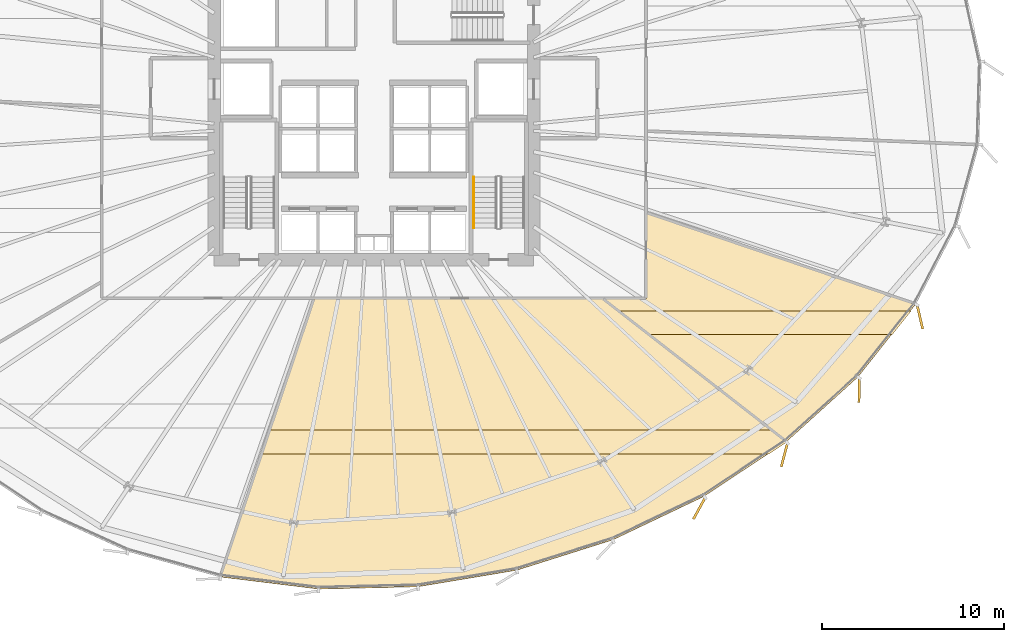
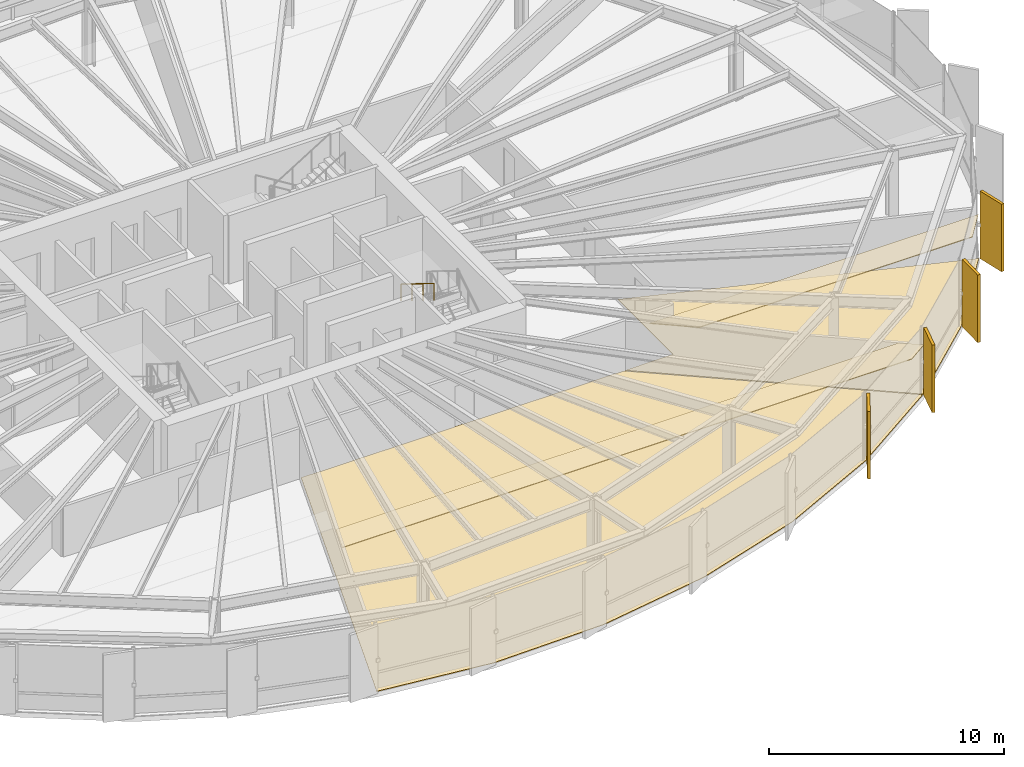
# One storey, part 36 of 38: 8 coverings, 1 railing.
"""IFC4 building model written with IfcOpenShell, lengths in metres."""

from ifc_helpers import new_model, si_unit, direction, frame, origin, origin_2d, place, context, subcontext, project, spatial, polyline, rectangle, circle, outline, extrude, source, transform, mapped, material, layer, layer_set, type_object, element, save


model = new_model("IFC4")

# Units and contexts
model_context = context("Model", 3, precision=1e-05, world=origin(), true_north=direction((0.0, 1.0)))
body_context = subcontext(model_context, "Body", "Model", "MODEL_VIEW")
ifc_project = project(units=[si_unit("LENGTHUNIT", "METRE"), si_unit("AREAUNIT", "SQUARE_METRE"), si_unit("VOLUMEUNIT", "CUBIC_METRE"), si_unit("PLANEANGLEUNIT", "RADIAN"), si_unit("MASSUNIT", "GRAM", prefix="KILO"), si_unit("THERMODYNAMICTEMPERATUREUNIT", "KELVIN")], contexts=[model_context])

# Site, building, storey
site_placement = place(None, origin())
site = spatial("IfcSite", under=ifc_project, at=site_placement, CompositionType="ELEMENT")
building_placement = place(site_placement, origin())
building = spatial("IfcBuilding", under=site, at=building_placement, Name="Kethvar Cultural Tower", CompositionType="ELEMENT")
storey_placement = place(building_placement, frame((0.0, 0.0, 52.39990234375)))
storey = spatial("IfcBuildingStorey", under=building, at=storey_placement, Name="L12", CompositionType="ELEMENT", Elevation=52.39990234375)

# Coverings
ifc_material_1 = material(Name="Acoustic Mineral Fibre Ceiling")
ifc_layer_1 = layer(ifc_material_1, 0.0400390625, Name="Acoustic Mineral Fibre Ceiling")
ifc_layer_set_1 = layer_set([ifc_layer_1], Name="Acoustic Mineral Fibre Ceiling (40 mm)")
covering_type_1 = type_object("IfcCoveringType", Name="CV-ACOUSTIC-CEIL", PredefinedType="CEILING", material=ifc_layer_set_1)
covering_1_placement = place(storey_placement, frame((0.0, 0.0, 2.56005859375)))
element("IfcCovering", 1, at=covering_1_placement, inside=storey, type_object=covering_type_1, Name="L12 Room 02 Acoustic Ceiling Panel", PredefinedType="CEILING", context=body_context, shape_type="SweptSolid", body=[
    extrude(outline(polyline([(41.05029296875, 10.7197265625), (68.720703125, 10.7197265625), (69.552978515625, 10.060546875), (68.58837890625, 9.40966796875), (40.611083984375, 9.40966796875), (41.05029296875, 10.7197265625)])), origin(), (0.0, 0.0, 1.0), 0.0400390625),
])
covering_2_placement = place(storey_placement, frame((0.0, 0.0, 2.56005859375)))
element("IfcCovering", 2, at=covering_2_placement, inside=storey, type_object=covering_type_1, Name="L12 Room 03 Acoustic Ceiling Panel", PredefinedType="CEILING", context=body_context, shape_type="SweptSolid", body=[
    extrude(outline(polyline([(60.2490234375, 17.27978515625), (76.398681640625, 17.27978515625), (75.3603515625, 15.9697265625), (61.927734375, 15.9697265625), (60.2490234375, 17.27978515625)])), origin(), (0.0, 0.0, 1.0), 0.0400390625),
])
ifc_material_2 = material(Name="Architectural Oak Timber", Category="wood")
ifc_layer_2 = layer(ifc_material_2, 0.02490234375, Name="Architectural Oak Timber", Category="wood")
ifc_layer_set_2 = layer_set([ifc_layer_2], Name="Architectural Oak Timber (25 mm)")
covering_type_2 = type_object("IfcCoveringType", Name="CV-OAK-FLOOR", PredefinedType="FLOORING", material=ifc_layer_set_2)
covering_3_placement = place(storey_placement, origin())
element("IfcCovering", 3, at=covering_3_placement, inside=storey, type_object=covering_type_2, Name="L12 Room 02 Floor Finish", PredefinedType="FLOORING", context=body_context, shape_type="SweptSolid", body=[
    extrude(outline(polyline([(64.961181640625, 7.05078125), (59.95751953125, 4.666259765625), (54.66796875, 2.99560546875), (49.230712890625, 2.08740234375), (43.74560546875, 1.962890625), (38.376708984375, 2.621337890625), (43.52099609375, 17.9599609375), (59.377197265625, 17.9599609375), (69.498779296875, 10.061767578125), (64.961181640625, 7.05078125)])), origin(), (0.0, 0.0, 1.0), 0.025146484375),
])
covering_4_placement = place(storey_placement, origin())
element("IfcCovering", 4, at=covering_4_placement, inside=storey, type_object=covering_type_2, Name="L12 Room 03 Floor Finish", PredefinedType="FLOORING", context=body_context, shape_type="SweptSolid", body=[
    extrude(outline(polyline([(73.46875, 13.647705078125), (69.531982421875, 10.08642578125), (59.4423828125, 17.9599609375), (61.8076171875, 17.970703125), (61.81005859375, 22.67236328125), (76.626708984375, 17.631591796875), (73.46875, 13.647705078125)])), origin(), (0.0, 0.0, 1.0), 0.025146484375),
])

# Railing
ifc_material_3 = material(Name="Steel S355J2", Category="steel")
railing_type = type_object("IfcRailingType", Name="RL-STAIR-HANDRAIL", PredefinedType="HANDRAIL", material=ifc_material_3)
railing_placement = place(storey_placement, frame((52.300048828125, 24.64990234375, 2.07275390625)))
element("IfcRailing", 5, at=railing_placement, inside=storey, type_object=railing_type, Name="L12 ST-02 stair handrail 2", PredefinedType="HANDRAIL", context=body_context, shape_type="SweptSolid", body=[
    extrude(circle(Radius=0.02392578125, at=origin_2d()), frame((0.0, 0.0, 0.8759765625), z_axis=(0.0, -0.851069175582, 0.525053576669), x_axis=(1.0, 0.0, 0.0)), (0.0, 0.0, 1.0), 3.289794921875),
    extrude(circle(Radius=0.02099609375, at=origin_2d()), origin(), (0.0, 0.0, 1.0), 0.851806640625),
    extrude(circle(Radius=0.02099609375, at=origin_2d()), frame((0.0, -0.933349609375, 0.57568359375)), (0.0, 0.0, 1.0), 0.851806640625),
    extrude(circle(Radius=0.02099609375, at=origin_2d()), frame((0.0, -1.866455078125, 1.151611328125)), (0.0, 0.0, 1.0), 0.851806640625),
    extrude(circle(Radius=0.02099609375, at=origin_2d()), frame((0.0, -2.7998046875, 1.727294921875)), (0.0, 0.0, 1.0), 0.851806640625),
])

# Coverings
ifc_material_4 = material(Name="Extruded Architectural Terracotta", Category="masonry")
ifc_layer_3 = layer(ifc_material_4, 0.135009765625, Name="Extruded Architectural Terracotta", Category="masonry")
ifc_layer_set_3 = layer_set([ifc_layer_3], Name="Extruded Architectural Terracotta (135 mm)")
covering_type_3 = type_object("IfcCoveringType", Name="Terracotta Facade Fin FIN-01", PredefinedType="CLADDING", material=ifc_layer_set_3)
shared_shape = source(origin(), body_context, "Body", "SweptSolid", [
    extrude(rectangle(XDim=1.35009765625, YDim=0.135009765625, at=origin_2d()), origin(), (0.0, 0.0, 1.0), 3.510009765625),
])
for number, where, z_axis, x_axis, name in (
    (6, (64.725341796875, 6.398681640625, 0.02001953125), (0.0, 0.0, 1.0), (-0.481906611132, -0.876222584819, 0.0), "L12 Vertical Terracotta Fin 6.1"),
    (7, (69.4150390625, 9.348388671875, 0.02001953125), (0.0, 0.0, 1.0), (-0.254264369988, -0.967134752842, 0.0), "L12 Vertical Terracotta Fin 6.2"),
    (8, (73.535400390625, 12.9091796875, 0.02001953125), (0.0, 0.0, 1.0), (-0.016056339135, -0.999871088678, 0.0), "L12 Vertical Terracotta Fin 6.3"),
    (9, (76.882568359375, 16.946533203125, 0.02001953125), (0.0, 0.0, 1.0), (0.224951054344, -0.974370064785, 0.0), "L12 Vertical Terracotta Fin 6.4"),
):
    element("IfcCovering", number, at=place(storey_placement, frame(where, z_axis=z_axis, x_axis=x_axis)), inside=storey, type_object=covering_type_3, Name=name, PredefinedType="CLADDING", context=body_context, shape_type="MappedRepresentation", body=[
        mapped(shared_shape, transform((0.0, 0.0, 0.0), scale=1.0)),
    ])

save(model, "model.ifc")
